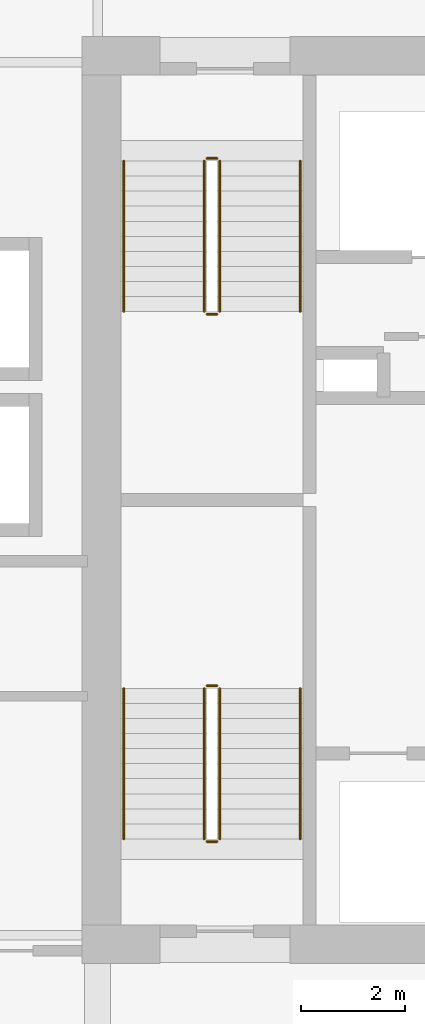
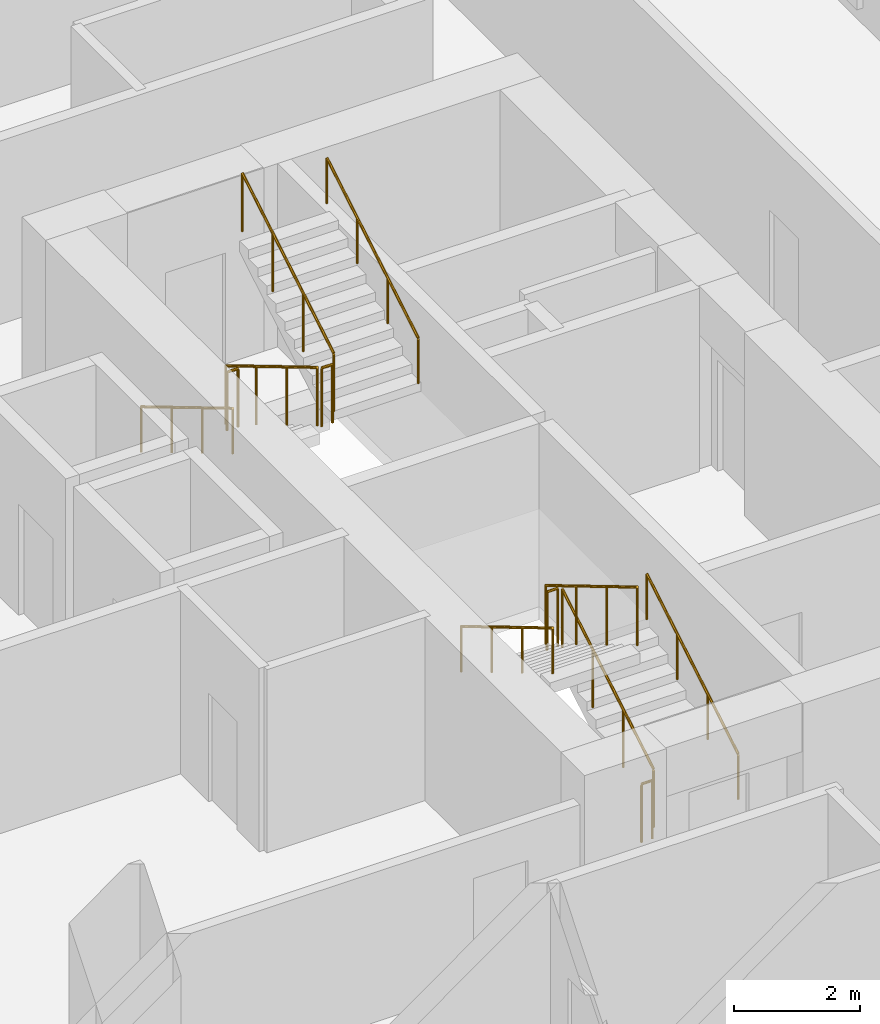
# One storey, part 23 of 24: 12 railings.
"""IFC4 building model written with IfcOpenShell, lengths in metres."""

from ifc_helpers import new_model, si_unit, direction, frame, origin, origin_2d, place, context, subcontext, project, spatial, circle, extrude, material, type_object, element, save


model = new_model("IFC4")

# Units and contexts
model_context = context("Model", 3, precision=1e-05, world=origin(), true_north=direction((0.0, 1.0)))
body_context = subcontext(model_context, "Body", "Model", "MODEL_VIEW")
ifc_project = project(units=[si_unit("LENGTHUNIT", "METRE"), si_unit("AREAUNIT", "SQUARE_METRE"), si_unit("VOLUMEUNIT", "CUBIC_METRE"), si_unit("PLANEANGLEUNIT", "RADIAN"), si_unit("MASSUNIT", "GRAM", prefix="KILO")], contexts=[model_context])

# Site, building, storey
site_placement = place(None, origin())
site = spatial("IfcSite", under=ifc_project, at=site_placement, CompositionType="ELEMENT")
building_placement = place(site_placement, origin())
building = spatial("IfcBuilding", under=site, at=building_placement, Name="Koriwani Terraces Tower", CompositionType="ELEMENT")
storey_placement = place(building_placement, frame((0.0, 0.0, 149.39990234375)))
storey = spatial("IfcBuildingStorey", under=building, at=storey_placement, Name="L36", CompositionType="ELEMENT", Elevation=149.39990234375)

# Railings
ifc_material = material(Name="Steel ASTM A572 Grade 50", Category="steel")
railing_type_1 = type_object("IfcRailingType", Name="GUARD_STAIR_WELL_1120", PredefinedType="GUARDRAIL", material=ifc_material)
railing_1_placement = place(storey_placement, frame((19.14990234375, 43.85009765625, 0.1728515625)))
element("IfcRailing", 1, at=railing_1_placement, inside=storey, type_object=railing_type_1, Name="L36 ST-W1 stair guard 1", PredefinedType="GUARDRAIL", context=body_context, shape_type="SweptSolid", body=[
    extrude(circle(Radius=0.02392578125, at=origin_2d()), frame((0.0, 0.0, 1.1259765625), z_axis=(0.0, 0.859141464434, 0.511738159696), x_axis=(-1.0, 0.0, 0.0)), (0.0, 0.0, 1.0), 3.375244140625),
    extrude(circle(Radius=0.02099609375, at=origin_2d()), origin(), (0.0, 0.0, 1.0), 1.101806640625),
    extrude(circle(Radius=0.02099609375, at=origin_2d()), frame((0.0, 0.966552734375, 0.57568359375)), (0.0, 0.0, 1.0), 1.101806640625),
    extrude(circle(Radius=0.02099609375, at=origin_2d()), frame((0.0, 1.933349609375, 1.151611328125)), (0.0, 0.0, 1.0), 1.101806640625),
    extrude(circle(Radius=0.02099609375, at=origin_2d()), frame((0.0, 2.89990234375, 1.727294921875)), (0.0, 0.0, 1.0), 1.101806640625),
])
railing_2_placement = place(storey_placement, frame((19.10009765625, 46.800048828125, 1.900146484375)))
element("IfcRailing", 2, at=railing_2_placement, inside=storey, type_object=railing_type_1, Name="L36 ST-W1 stair guard 2", PredefinedType="GUARDRAIL", context=body_context, shape_type="SweptSolid", body=[
    extrude(circle(Radius=0.02392578125, at=origin_2d()), frame((0.0, 0.0, 1.1259765625), z_axis=(-1.0, 0.0, 0.0), x_axis=(0.0, -1.0, 0.0)), (0.0, 0.0, 1.0), 0.2001953125),
    extrude(circle(Radius=0.02099609375, at=origin_2d()), origin(), (0.0, 0.0, 1.0), 1.101806640625),
    extrude(circle(Radius=0.02099609375, at=origin_2d()), frame((-0.2001953125, 0.0, 0.0)), (0.0, 0.0, 1.0), 1.101806640625),
])
railing_3_placement = place(storey_placement, frame((18.85009765625, 46.75, 2.07275390625)))
element("IfcRailing", 3, at=railing_3_placement, inside=storey, type_object=railing_type_1, Name="L36 ST-W1 stair guard 3", PredefinedType="GUARDRAIL", context=body_context, shape_type="SweptSolid", body=[
    extrude(circle(Radius=0.02392578125, at=origin_2d()), frame((0.0, 0.0, 1.1259765625), z_axis=(0.0, -0.859141464434, 0.511738159696), x_axis=(1.0, 0.0, 0.0)), (0.0, 0.0, 1.0), 3.375244140625),
    extrude(circle(Radius=0.02099609375, at=origin_2d()), origin(), (0.0, 0.0, 1.0), 1.101806640625),
    extrude(circle(Radius=0.02099609375, at=origin_2d()), frame((0.0, -0.966552734375, 0.57568359375)), (0.0, 0.0, 1.0), 1.101806640625),
    extrude(circle(Radius=0.02099609375, at=origin_2d()), frame((0.0, -1.933349609375, 1.151611328125)), (0.0, 0.0, 1.0), 1.101806640625),
    extrude(circle(Radius=0.02099609375, at=origin_2d()), frame((0.0, -2.89990234375, 1.727294921875)), (0.0, 0.0, 1.0), 1.101806640625),
])
railing_4_placement = place(storey_placement, frame((19.10009765625, 43.800048828125, 0.0)))
element("IfcRailing", 4, at=railing_4_placement, inside=storey, type_object=railing_type_1, Name="L36 ST-W1 stair guard 4", PredefinedType="GUARDRAIL", context=body_context, shape_type="SweptSolid", body=[
    extrude(circle(Radius=0.02392578125, at=origin_2d()), frame((0.0, 0.0, 1.1259765625), z_axis=(-1.0, 0.0, 0.0), x_axis=(0.0, -1.0, 0.0)), (0.0, 0.0, 1.0), 0.2001953125),
    extrude(circle(Radius=0.02099609375, at=origin_2d()), origin(), (0.0, 0.0, 1.0), 1.101806640625),
    extrude(circle(Radius=0.02099609375, at=origin_2d()), frame((-0.2001953125, 0.0, 0.0)), (0.0, 0.0, 1.0), 1.101806640625),
])
railing_5_placement = place(storey_placement, frame((18.85009765625, 56.89990234375, 0.1728515625)))
element("IfcRailing", 5, at=railing_5_placement, inside=storey, type_object=railing_type_1, Name="L36 ST-W2 stair guard 1", PredefinedType="GUARDRAIL", context=body_context, shape_type="SweptSolid", body=[
    extrude(circle(Radius=0.02392578125, at=origin_2d()), frame((0.0, 0.0, 1.1259765625), z_axis=(0.0, -0.859141464434, 0.511738159696), x_axis=(1.0, 0.0, 0.0)), (0.0, 0.0, 1.0), 3.375244140625),
    extrude(circle(Radius=0.02099609375, at=origin_2d()), origin(), (0.0, 0.0, 1.0), 1.101806640625),
    extrude(circle(Radius=0.02099609375, at=origin_2d()), frame((0.0, -0.966552734375, 0.57568359375)), (0.0, 0.0, 1.0), 1.101806640625),
    extrude(circle(Radius=0.02099609375, at=origin_2d()), frame((0.0, -1.933349609375, 1.151611328125)), (0.0, 0.0, 1.0), 1.101806640625),
    extrude(circle(Radius=0.02099609375, at=origin_2d()), frame((0.0, -2.89990234375, 1.727294921875)), (0.0, 0.0, 1.0), 1.101806640625),
])
railing_6_placement = place(storey_placement, frame((18.89990234375, 53.949951171875, 1.900146484375)))
element("IfcRailing", 6, at=railing_6_placement, inside=storey, type_object=railing_type_1, Name="L36 ST-W2 stair guard 2", PredefinedType="GUARDRAIL", context=body_context, shape_type="SweptSolid", body=[
    extrude(circle(Radius=0.02392578125, at=origin_2d()), frame((0.0, 0.0, 1.1259765625), z_axis=(1.0, 0.0, 0.0), x_axis=(0.0, 1.0, 0.0)), (0.0, 0.0, 1.0), 0.2001953125),
    extrude(circle(Radius=0.02099609375, at=origin_2d()), origin(), (0.0, 0.0, 1.0), 1.101806640625),
    extrude(circle(Radius=0.02099609375, at=origin_2d()), frame((0.2001953125, 0.0, 0.0)), (0.0, 0.0, 1.0), 1.101806640625),
])
railing_7_placement = place(storey_placement, frame((19.14990234375, 54.0, 2.07275390625)))
element("IfcRailing", 7, at=railing_7_placement, inside=storey, type_object=railing_type_1, Name="L36 ST-W2 stair guard 3", PredefinedType="GUARDRAIL", context=body_context, shape_type="SweptSolid", body=[
    extrude(circle(Radius=0.02392578125, at=origin_2d()), frame((0.0, 0.0, 1.1259765625), z_axis=(0.0, 0.859141464434, 0.511738159696), x_axis=(-1.0, 0.0, 0.0)), (0.0, 0.0, 1.0), 3.375244140625),
    extrude(circle(Radius=0.02099609375, at=origin_2d()), origin(), (0.0, 0.0, 1.0), 1.101806640625),
    extrude(circle(Radius=0.02099609375, at=origin_2d()), frame((0.0, 0.966552734375, 0.57568359375)), (0.0, 0.0, 1.0), 1.101806640625),
    extrude(circle(Radius=0.02099609375, at=origin_2d()), frame((0.0, 1.933349609375, 1.151611328125)), (0.0, 0.0, 1.0), 1.101806640625),
    extrude(circle(Radius=0.02099609375, at=origin_2d()), frame((0.0, 2.89990234375, 1.727294921875)), (0.0, 0.0, 1.0), 1.101806640625),
])
railing_8_placement = place(storey_placement, frame((18.89990234375, 56.949951171875, 0.0)))
element("IfcRailing", 8, at=railing_8_placement, inside=storey, type_object=railing_type_1, Name="L36 ST-W2 stair guard 4", PredefinedType="GUARDRAIL", context=body_context, shape_type="SweptSolid", body=[
    extrude(circle(Radius=0.02392578125, at=origin_2d()), frame((0.0, 0.0, 1.1259765625), z_axis=(1.0, 0.0, 0.0), x_axis=(0.0, 1.0, 0.0)), (0.0, 0.0, 1.0), 0.2001953125),
    extrude(circle(Radius=0.02099609375, at=origin_2d()), origin(), (0.0, 0.0, 1.0), 1.101806640625),
    extrude(circle(Radius=0.02099609375, at=origin_2d()), frame((0.2001953125, 0.0, 0.0)), (0.0, 0.0, 1.0), 1.101806640625),
])
railing_type_2 = type_object("IfcRailingType", Name="HANDRAIL_STAIR_920", PredefinedType="HANDRAIL", material=ifc_material)
railing_9_placement = place(storey_placement, frame((20.699951171875, 43.85009765625, 0.1728515625)))
element("IfcRailing", 9, at=railing_9_placement, inside=storey, type_object=railing_type_2, Name="L36 ST-W1 stair handrail 1", PredefinedType="HANDRAIL", context=body_context, shape_type="SweptSolid", body=[
    extrude(circle(Radius=0.02392578125, at=origin_2d()), frame((0.0, 0.0, 0.8759765625), z_axis=(0.0, 0.859141464434, 0.511738159696), x_axis=(-1.0, 0.0, 0.0)), (0.0, 0.0, 1.0), 3.375244140625),
    extrude(circle(Radius=0.02099609375, at=origin_2d()), origin(), (0.0, 0.0, 1.0), 0.851806640625),
    extrude(circle(Radius=0.02099609375, at=origin_2d()), frame((0.0, 0.966552734375, 0.57568359375)), (0.0, 0.0, 1.0), 0.851806640625),
    extrude(circle(Radius=0.02099609375, at=origin_2d()), frame((0.0, 1.933349609375, 1.151611328125)), (0.0, 0.0, 1.0), 0.851806640625),
    extrude(circle(Radius=0.02099609375, at=origin_2d()), frame((0.0, 2.89990234375, 1.727294921875)), (0.0, 0.0, 1.0), 0.851806640625),
])
for number, where, name in (
    (10, (17.300048828125, 46.75, 2.07275390625), "L36 ST-W1 stair handrail 2"),
    (11, (17.300048828125, 56.89990234375, 0.1728515625), "L36 ST-W2 stair handrail 1"),
):
    element("IfcRailing", number, at=place(storey_placement, frame(where)), inside=storey, type_object=railing_type_2, Name=name, PredefinedType="HANDRAIL", context=body_context, shape_type="SweptSolid", body=[
        extrude(circle(Radius=0.02392578125, at=origin_2d()), frame((0.0, 0.0, 0.8759765625), z_axis=(0.0, -0.859141464434, 0.511738159696), x_axis=(1.0, 0.0, 0.0)), (0.0, 0.0, 1.0), 3.375244140625),
        extrude(circle(Radius=0.02099609375, at=origin_2d()), origin(), (0.0, 0.0, 1.0), 0.851806640625),
        extrude(circle(Radius=0.02099609375, at=origin_2d()), frame((0.0, -0.966552734375, 0.57568359375)), (0.0, 0.0, 1.0), 0.851806640625),
        extrude(circle(Radius=0.02099609375, at=origin_2d()), frame((0.0, -1.933349609375, 1.151611328125)), (0.0, 0.0, 1.0), 0.851806640625),
        extrude(circle(Radius=0.02099609375, at=origin_2d()), frame((0.0, -2.89990234375, 1.727294921875)), (0.0, 0.0, 1.0), 0.851806640625),
    ])
railing_10_placement = place(storey_placement, frame((20.699951171875, 54.0, 2.07275390625)))
element("IfcRailing", 12, at=railing_10_placement, inside=storey, type_object=railing_type_2, Name="L36 ST-W2 stair handrail 2", PredefinedType="HANDRAIL", context=body_context, shape_type="SweptSolid", body=[
    extrude(circle(Radius=0.02392578125, at=origin_2d()), frame((0.0, 0.0, 0.8759765625), z_axis=(0.0, 0.859141464434, 0.511738159696), x_axis=(-1.0, 0.0, 0.0)), (0.0, 0.0, 1.0), 3.375244140625),
    extrude(circle(Radius=0.02099609375, at=origin_2d()), origin(), (0.0, 0.0, 1.0), 0.851806640625),
    extrude(circle(Radius=0.02099609375, at=origin_2d()), frame((0.0, 0.966552734375, 0.57568359375)), (0.0, 0.0, 1.0), 0.851806640625),
    extrude(circle(Radius=0.02099609375, at=origin_2d()), frame((0.0, 1.933349609375, 1.151611328125)), (0.0, 0.0, 1.0), 0.851806640625),
    extrude(circle(Radius=0.02099609375, at=origin_2d()), frame((0.0, 2.89990234375, 1.727294921875)), (0.0, 0.0, 1.0), 0.851806640625),
])

save(model, "model.ifc")
